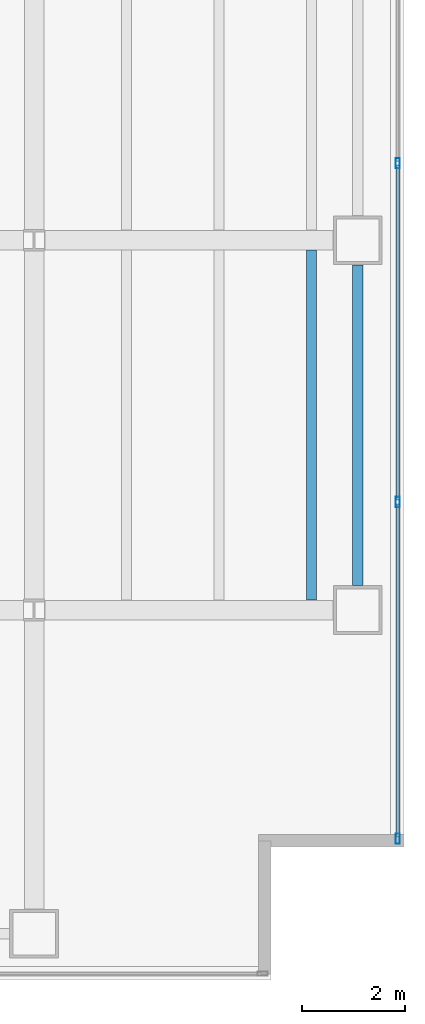
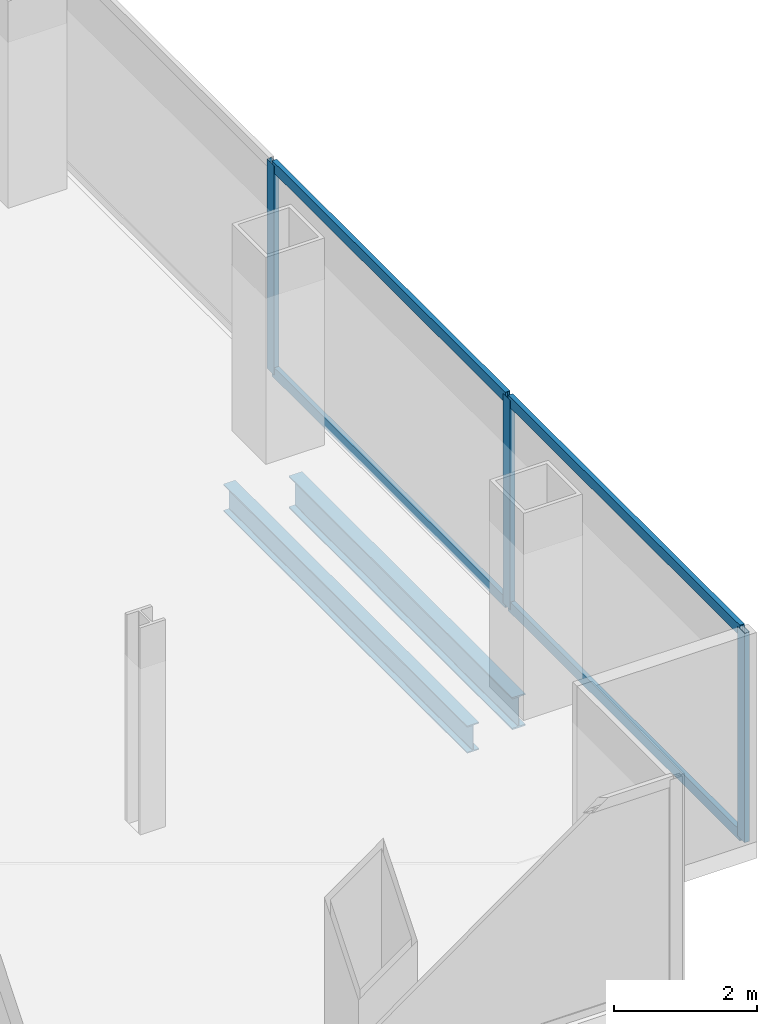
# One storey, part 10 of 24: 7 members, 2 beams, 1 element without a shape of its own.
"""IFC4 building model written with IfcOpenShell, lengths in metres."""

import ifcopenshell
import ifcopenshell.guid

model = None  # the IFC model being written
_history = None  # IfcOwnerHistory: only IFC2X3 demands one
_inside = {}  # id of a spatial element -> (the spatial element, [elements in it])
_under = {}  # id of a project, library or spatial element -> (it, [spatial elements below it])
_declared = {}  # id of a project -> (the project, [libraries it declares])
_typed = {}  # id of a type object -> (the type object, [elements of that type])
_made_of = {}  # id of a material, layer set ... -> (it, [elements and type objects made of it])


def new_model(schema):
    """Start an empty IFC model of exactly this schema.

    Asked for "IFC4X3", IfcOpenShell would pick the latest addendum, in which some entities
    have other attributes; the version numbers below select the first issue.
    IFC2X3 requires an IfcOwnerHistory on every rooted entity: one is made here for all.
    """
    global model, _history
    if schema == "IFC4X3":
        model = ifcopenshell.file(schema_version=(4, 3, 0, 0))
    else:
        model = ifcopenshell.file(schema=schema)
    _inside.clear()
    _under.clear()
    _declared.clear()
    _typed.clear()
    _made_of.clear()
    _history = None
    if model.schema == "IFC2X3":
        org = make("IfcOrganization", Name="unknown")
        user = make(
            "IfcPersonAndOrganization",
            ThePerson=make("IfcPerson", FamilyName="unknown"),
            TheOrganization=org,
        )
        app = make(
            "IfcApplication",
            ApplicationDeveloper=org,
            Version="unknown",
            ApplicationFullName="unknown",
            ApplicationIdentifier="unknown",
        )
        _history = make(
            "IfcOwnerHistory",
            OwningUser=user,
            OwningApplication=app,
            ChangeAction="ADDED",
            CreationDate=0,
        )
    return model


def make(cls, **values):
    """One entity of the class cls with the attributes given. An attribute that is None is left unset."""
    return model.create_entity(
        cls, **{name: value for name, value in values.items() if value is not None}
    )


def rooted(cls, **values):
    """An entity with a GlobalId (a new one), such as an element, a storey or a relation."""
    return make(cls, GlobalId=ifcopenshell.guid.new(), OwnerHistory=_history, **values)


def si_unit(unit_type, name, prefix=None):
    """IfcSIUnit, for example si_unit("LENGTHUNIT", "METRE", prefix="MILLI")."""
    return make("IfcSIUnit", UnitType=unit_type, Prefix=prefix, Name=name)


def assignment(units):
    """IfcUnitAssignment: the units of a project."""
    return None if units is None else make("IfcUnitAssignment", Units=units)


def point(xyz):
    """IfcCartesianPoint."""
    return None if xyz is None else make("IfcCartesianPoint", Coordinates=xyz)


def direction(xyz):
    """IfcDirection."""
    return None if xyz is None else make("IfcDirection", DirectionRatios=xyz)


def frame(location, z_axis=None, x_axis=None):
    """IfcAxis2Placement3D, a coordinate frame: its origin and axes. An axis left out is left unset."""
    return make(
        "IfcAxis2Placement3D",
        Location=point(location),
        Axis=direction(z_axis),
        RefDirection=direction(x_axis),
    )


def frame_2d(location, x_axis=None):
    """IfcAxis2Placement2D, a coordinate frame in the plane: its origin and x axis."""
    return make(
        "IfcAxis2Placement2D", Location=point(location), RefDirection=direction(x_axis)
    )


def origin():
    """The frame at (0, 0, 0) with its axes left unset."""
    return frame((0.0, 0.0, 0.0))


def origin_2d():
    """The frame at (0, 0) in the plane with its x axis left unset."""
    return frame_2d((0.0, 0.0))


def place(relative_to, where):
    """IfcLocalPlacement: puts the frame where relative to a parent placement (None: the world)."""
    return make(
        "IfcLocalPlacement", PlacementRelTo=relative_to, RelativePlacement=where
    )


def context(
    kind, dimensions, precision=None, world=None, true_north=None, identifier=None
):
    """IfcGeometricRepresentationContext, for example the 3D "Model" context."""
    return make(
        "IfcGeometricRepresentationContext",
        ContextIdentifier=identifier,
        ContextType=kind,
        CoordinateSpaceDimension=dimensions,
        Precision=precision,
        WorldCoordinateSystem=world,
        TrueNorth=true_north,
    )


def subcontext(parent, identifier, kind, view, scale=None):
    """IfcGeometricRepresentationSubContext, for example "Body" below "Model"."""
    return make(
        "IfcGeometricRepresentationSubContext",
        ContextIdentifier=identifier,
        ContextType=kind,
        ParentContext=parent,
        TargetScale=scale,
        TargetView=view,
    )


def project(units=None, contexts=None):
    """IfcProject with its units and contexts."""
    return rooted(
        "IfcProject",
        Name="project",
        RepresentationContexts=contexts,
        UnitsInContext=assignment(units),
    )


def spatial(cls, under=None, at=None, **own):
    """A site, building, storey or space (cls), placed at a placement, below another one or the project."""
    s = rooted(cls, ObjectPlacement=at, **own)
    if under is not None:
        _under.setdefault(under.id(), (under, []))[1].append(s)
    return s


def profile(cls, at=None, kind="AREA", **sizes):
    """A parametric profile (cls). Its sizes go by their IFC names, for example OverallWidth=200.0."""
    return make(cls, ProfileType=kind, Position=at, **sizes)


def hollow_rectangle(**sizes):
    """IfcRectangleHollowProfileDef."""
    return profile("IfcRectangleHollowProfileDef", **sizes)


def i_section(**sizes):
    """IfcIShapeProfileDef."""
    return profile("IfcIShapeProfileDef", **sizes)


def extrude(swept, where, along, depth):
    """IfcExtrudedAreaSolid: the profile swept, set in the frame where, extruded along a direction by depth."""
    return make(
        "IfcExtrudedAreaSolid",
        SweptArea=swept,
        Position=where,
        ExtrudedDirection=direction(along),
        Depth=depth,
    )


def shape(context_of_items, identifier, shape_type, items):
    """IfcShapeRepresentation: the items that make up one representation, for example the "Body"."""
    return make(
        "IfcShapeRepresentation",
        ContextOfItems=context_of_items,
        RepresentationIdentifier=identifier,
        RepresentationType=shape_type,
        Items=items,
    )


def material(Name=None, Category=None):
    """IfcMaterial."""
    return make("IfcMaterial", Name=Name, Category=Category)


def material_profile(
    of_material, cross_section, Name=None, Category=None, Priority=None
):
    """IfcMaterialProfile: a cross section and its material."""
    return make(
        "IfcMaterialProfile",
        Name=Name,
        Material=of_material,
        Profile=cross_section,
        Priority=Priority,
        Category=Category,
    )


def profile_set(profiles, Name=None, composite=None):
    """IfcMaterialProfileSet."""
    return make(
        "IfcMaterialProfileSet",
        Name=Name,
        MaterialProfiles=profiles,
        CompositeProfile=composite,
    )


def made_of(thing, what):
    """Note that an element or type object is made of a material, layer set ...; save() writes the relation."""
    if what is not None:
        _made_of.setdefault(what.id(), (what, []))[1].append(thing)
    return thing


def type_object(cls, material=None, **own):
    """A type object (cls), such as IfcWallType, which elements share."""
    return made_of(rooted(cls, **own), material)


def element(
    cls,
    number,
    at=None,
    inside=None,
    cuts=None,
    type_object=None,
    material=None,
    context=None,
    identifier="Body",
    shape_type=None,
    held_by="IfcProductDefinitionShape",
    body=None,
    shapes=None,
    **own,
):
    """One element of the class cls, such as IfcWall. Its Tag is "e" and its number.

    at: its placement. inside: the storey or other place that contains it. cuts: it is an
    opening in that element (IfcRelVoidsElement). A single representation is given by context,
    identifier, shape_type and body (its items); several are given by shapes. held_by: the class
    of the entity that holds the representations. save() writes the other relations.
    """
    e = rooted(cls, Tag="e%d" % number, ObjectPlacement=at, **own)
    if body is not None:
        shapes = [shape(context, identifier, shape_type, body)]
    if shapes is not None:
        e.Representation = make(held_by, Representations=shapes)
    if inside is not None:
        _inside.setdefault(inside.id(), (inside, []))[1].append(e)
    if cuts is not None:
        rooted(
            "IfcRelVoidsElement", RelatingBuildingElement=cuts, RelatedOpeningElement=e
        )
    if type_object is not None:
        _typed.setdefault(type_object.id(), (type_object, []))[1].append(e)
    return made_of(e, material)


def aggregate(whole, parts):
    """IfcRelAggregates: a whole, such as a stair, and the parts it consists of."""
    return rooted("IfcRelAggregates", RelatingObject=whole, RelatedObjects=parts)


def save(model, path):
    """Write the relations noted so far, then the file.

    IfcRelAggregates (storeys below a building ...), IfcRelContainedInSpatialStructure (elements
    in a storey), IfcRelDefinesByType, IfcRelAssociatesMaterial and IfcRelDeclares: one each for
    every whole, place, type object, material and project.
    """
    for whole, parts in _under.values():
        aggregate(whole, parts)
    for where, things in _inside.values():
        rooted(
            "IfcRelContainedInSpatialStructure",
            RelatedElements=things,
            RelatingStructure=where,
        )
    for kind, things in _typed.values():
        rooted("IfcRelDefinesByType", RelatedObjects=things, RelatingType=kind)
    for what, things in _made_of.values():
        rooted("IfcRelAssociatesMaterial", RelatedObjects=things, RelatingMaterial=what)
    for by, libraries in _declared.values():
        rooted("IfcRelDeclares", RelatingContext=by, RelatedDefinitions=libraries)
    model.write(path)


model = new_model("IFC4")

# Units and contexts
model_context = context("Model", 3, precision=1e-05, world=origin(), true_north=direction((0.0, 1.0)))
body_context = subcontext(model_context, "Body", "Model", "MODEL_VIEW")
ifc_project = project(units=[si_unit("LENGTHUNIT", "METRE"), si_unit("AREAUNIT", "SQUARE_METRE"), si_unit("VOLUMEUNIT", "CUBIC_METRE"), si_unit("PLANEANGLEUNIT", "RADIAN"), si_unit("MASSUNIT", "GRAM", prefix="KILO")], contexts=[model_context])

# Site, building, storey
site_placement = place(None, origin())
site = spatial("IfcSite", under=ifc_project, at=site_placement, CompositionType="ELEMENT")
building_placement = place(site_placement, origin())
building = spatial("IfcBuilding", under=site, at=building_placement, Name="Cobrela Telecom Tower", CompositionType="ELEMENT")
storey_placement = place(building_placement, frame((0.0, 0.0, 85.050048828125)))
storey = spatial("IfcBuildingStorey", under=building, at=storey_placement, Name="L21", CompositionType="ELEMENT", Elevation=85.050048828125)

# Beams
ifc_material_1 = material(Name="Steel ASTM A992 Grade 50", Category="steel")
ifc_material_profile_1 = material_profile(ifc_material_1, i_section(OverallWidth=0.193115234375, OverallDepth=0.467041015625, WebThickness=0.011474609375, FlangeThickness=0.01904296875, FilletRadius=0.012939453125, at=origin_2d()), Name="W18X65")
ifc_profile_set_1 = profile_set([ifc_material_profile_1], Name="Steel ASTM A992 Grade 50")
beam_type_1 = type_object("IfcBeamType", Name="BM-JOIST-03", PredefinedType="JOIST", material=ifc_profile_set_1)
beam_1_placement = place(storey_placement, frame((48.60009765625, 7.3955078125, -0.513427734375), z_axis=(0.0, 1.0, 0.0), x_axis=(-1.0, 0.0, 0.0)))
element("IfcBeam", 1, at=beam_1_placement, inside=storey, type_object=beam_type_1, Name="L21 Secondary Composite Floor Beam J63", PredefinedType="JOIST", context=body_context, shape_type="SweptSolid", body=[
    extrude(i_section(OverallWidth=0.193115234375, OverallDepth=0.467041015625, WebThickness=0.011474609375, FlangeThickness=0.01904296875, FilletRadius=0.012939453125, at=origin_2d()), origin(), (0.0, 0.0, 1.0), 6.80908203125),
])
ifc_material_profile_2 = material_profile(ifc_material_1, i_section(OverallWidth=0.212890625, OverallDepth=0.549072265625, WebThickness=0.0146484375, FlangeThickness=0.023681640625, FilletRadius=0.013916015625, at=origin_2d()), Name="W21X93")
ifc_profile_set_2 = profile_set([ifc_material_profile_2], Name="Steel ASTM A992 Grade 50")
beam_type_2 = type_object("IfcBeamType", Name="BM-SPAND-03", PredefinedType="SPANDREL", material=ifc_profile_set_2)
beam_2_placement = place(storey_placement, frame((49.5, 7.679931640625, -0.554443359375), z_axis=(0.0, 1.0, 0.0), x_axis=(-1.0, 0.0, 0.0)))
element("IfcBeam", 2, at=beam_2_placement, inside=storey, type_object=beam_type_2, Name="L21 Perimeter Spandrel Y56", PredefinedType="SPANDREL", context=body_context, shape_type="SweptSolid", body=[
    extrude(i_section(OverallWidth=0.212890625, OverallDepth=0.549072265625, WebThickness=0.0146484375, FlangeThickness=0.023681640625, FilletRadius=0.013916015625, at=origin_2d()), origin(), (0.0, 0.0, 1.0), 6.239990234375),
])

# Curtain wall, members
ifc_material_2 = material(Name="Anodized Bronze Aluminium 6063-T6", Category="aluminium")
curtain_wall_type = type_object("IfcCurtainWallType", Name="CW-SYS-DATA", PredefinedType="USERDEFINED", material=ifc_material_2)
curtain_wall_placement = place(storey_placement, origin())
curtain_wall = element("IfcCurtainWall", 3, at=curtain_wall_placement, inside=storey, type_object=curtain_wall_type, Name="L21 Unitised Bronze Curtain Wall 14", ObjectType="UNITISED CURTAIN WALL", PredefinedType="USERDEFINED")
ifc_material_profile_3 = material_profile(ifc_material_2, hollow_rectangle(XDim=0.080078125, YDim=0.199951171875, WallThickness=0.00390625, at=origin_2d()), Name="ALU 80x200x4")
ifc_profile_set_3 = profile_set([ifc_material_profile_3], Name="Anodized Bronze Aluminium 6063-T6")
member_type_1 = type_object("IfcMemberType", Name="CW-SYS-DATA-MUL", PredefinedType="MULLION", material=ifc_profile_set_3)
member_1_placement = place(storey_placement, frame((50.280029296875, 15.896728515625, 0.0), z_axis=(0.0, 0.0, 1.0), x_axis=(1.0, 0.0, 0.0)))
member_1 = element("IfcMember", 4, at=member_1_placement, type_object=member_type_1, Name="CW-DATA mullion 2", PredefinedType="MULLION", context=body_context, shape_type="SweptSolid", body=[
    extrude(hollow_rectangle(XDim=0.080078125, YDim=0.199951171875, WallThickness=0.00390625, at=origin_2d()), origin(), (0.0, 0.0, 1.0), 3.570068359375),
])
member_2_placement = place(storey_placement, frame((50.280029296875, 9.30322265625, 0.0), z_axis=(0.0, 0.0, 1.0), x_axis=(1.0, 0.0, 0.0)))
member_2 = element("IfcMember", 5, at=member_2_placement, type_object=member_type_1, Name="CW-DATA mullion 3", PredefinedType="MULLION", context=body_context, shape_type="SweptSolid", body=[
    extrude(hollow_rectangle(XDim=0.080078125, YDim=0.199951171875, WallThickness=0.00390625, at=origin_2d()), origin(), (0.0, 0.0, 1.0), 3.570068359375),
])
member_3_placement = place(storey_placement, frame((50.280029296875, 2.75, 0.0), z_axis=(0.0, 0.0, 1.0), x_axis=(1.0, 0.0, 0.0)))
member_3 = element("IfcMember", 6, at=member_3_placement, type_object=member_type_1, Name="CW-DATA mullion 4", PredefinedType="MULLION", context=body_context, shape_type="SweptSolid", body=[
    extrude(hollow_rectangle(XDim=0.080078125, YDim=0.199951171875, WallThickness=0.00390625, at=origin_2d()), origin(), (0.0, 0.0, 1.0), 3.570068359375),
])
ifc_material_profile_4 = material_profile(ifc_material_2, hollow_rectangle(XDim=0.074951171875, YDim=0.179931640625, WallThickness=0.00390625, at=origin_2d()), Name="ALU 75x180x4")
ifc_profile_set_4 = profile_set([ifc_material_profile_4], Name="Anodized Bronze Aluminium 6063-T6")
member_type_2 = type_object("IfcMemberType", Name="CW-SYS-DATA-TRN", PredefinedType="USERDEFINED", material=ifc_profile_set_4)
member_4_placement = place(storey_placement, frame((50.280029296875, 15.856689453125, 0.037353515625), z_axis=(0.0, -1.0, 0.0), x_axis=(1.0, 0.0, 0.0)))
member_4 = element("IfcMember", 7, at=member_4_placement, type_object=member_type_2, Name="CW-DATA transom 2.1", ObjectType="TRANSOM", PredefinedType="USERDEFINED", context=body_context, shape_type="SweptSolid", body=[
    extrude(hollow_rectangle(XDim=0.074951171875, YDim=0.179931640625, WallThickness=0.00390625, at=origin_2d()), origin(), (0.0, 0.0, 1.0), 6.513427734375),
])
member_5_placement = place(storey_placement, frame((50.280029296875, 15.856689453125, 3.532470703125), z_axis=(0.0, -1.0, 0.0), x_axis=(1.0, 0.0, 0.0)))
member_5 = element("IfcMember", 8, at=member_5_placement, type_object=member_type_2, Name="CW-DATA transom 2.2", ObjectType="TRANSOM", PredefinedType="USERDEFINED", context=body_context, shape_type="SweptSolid", body=[
    extrude(hollow_rectangle(XDim=0.074951171875, YDim=0.179931640625, WallThickness=0.00390625, at=origin_2d()), origin(), (0.0, 0.0, 1.0), 6.513427734375),
])
member_6_placement = place(storey_placement, frame((50.280029296875, 9.263427734375, 0.037353515625), z_axis=(0.0, -1.0, 0.0), x_axis=(1.0, 0.0, 0.0)))
member_6 = element("IfcMember", 9, at=member_6_placement, type_object=member_type_2, Name="CW-DATA transom 3.1", ObjectType="TRANSOM", PredefinedType="USERDEFINED", context=body_context, shape_type="SweptSolid", body=[
    extrude(hollow_rectangle(XDim=0.074951171875, YDim=0.179931640625, WallThickness=0.00390625, at=origin_2d()), origin(), (0.0, 0.0, 1.0), 6.473388671875),
])
member_7_placement = place(storey_placement, frame((50.280029296875, 9.263427734375, 3.532470703125), z_axis=(0.0, -1.0, 0.0), x_axis=(1.0, 0.0, 0.0)))
member_7 = element("IfcMember", 10, at=member_7_placement, type_object=member_type_2, Name="CW-DATA transom 3.2", ObjectType="TRANSOM", PredefinedType="USERDEFINED", context=body_context, shape_type="SweptSolid", body=[
    extrude(hollow_rectangle(XDim=0.074951171875, YDim=0.179931640625, WallThickness=0.00390625, at=origin_2d()), origin(), (0.0, 0.0, 1.0), 6.473388671875),
])
aggregate(curtain_wall, [member_1, member_2, member_3, member_4, member_5, member_6, member_7])

save(model, "model.ifc")
